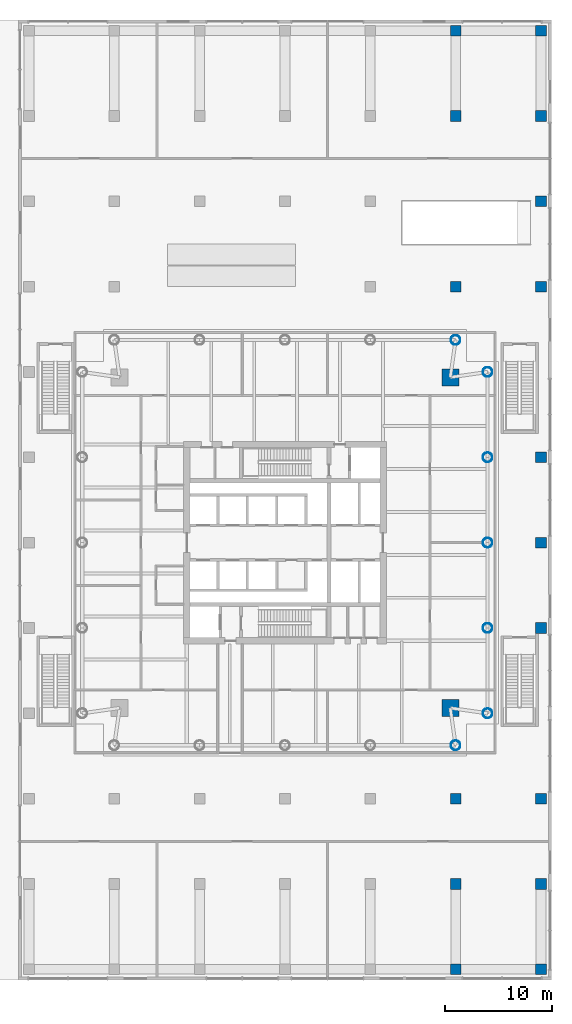
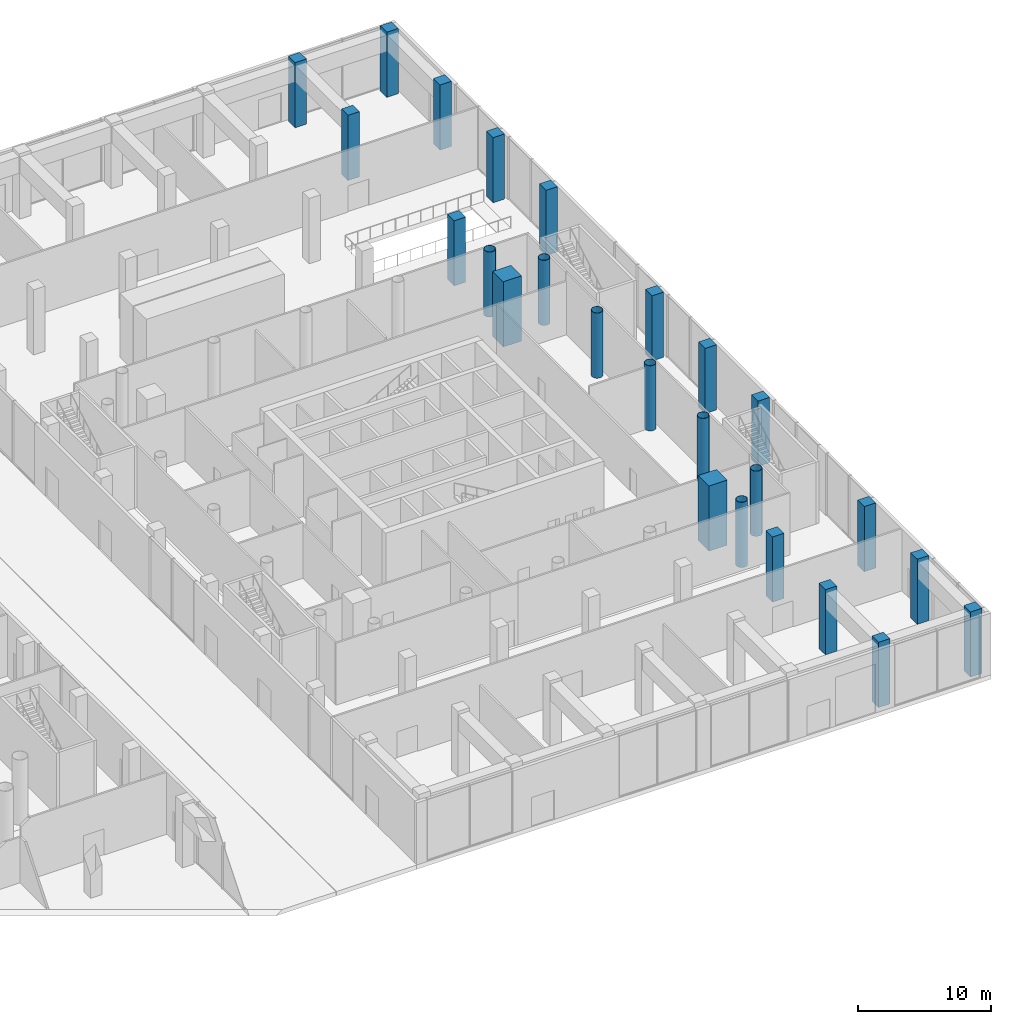
# One storey, part 4 of 39: 25 columns.
"""IFC4 building model written with IfcOpenShell, lengths in metres."""

from ifc_helpers import new_model, si_unit, direction, frame, origin, origin_2d, place, context, subcontext, project, spatial, rectangle, hollow_circle, extrude, material, material_profile, profile_set, type_object, element, save


model = new_model("IFC4")

# Units and contexts
model_context = context("Model", 3, precision=1e-05, world=origin(), true_north=direction((0.0, 1.0)))
body_context = subcontext(model_context, "Body", "Model", "MODEL_VIEW")
ifc_project = project(units=[si_unit("LENGTHUNIT", "METRE"), si_unit("AREAUNIT", "SQUARE_METRE"), si_unit("VOLUMEUNIT", "CUBIC_METRE"), si_unit("PLANEANGLEUNIT", "RADIAN"), si_unit("MASSUNIT", "GRAM", prefix="KILO")], contexts=[model_context])

# Site, building, storey
site_placement = place(None, origin())
site = spatial("IfcSite", under=ifc_project, at=site_placement, CompositionType="ELEMENT")
building_placement = place(site_placement, origin())
building = spatial("IfcBuilding", under=site, at=building_placement, Name="Ostroluk Exchange", CompositionType="ELEMENT")
storey_placement = place(building_placement, origin())
storey = spatial("IfcBuildingStorey", under=building, at=storey_placement, Name="L00", CompositionType="ELEMENT", Elevation=0.0)

# Columns
ifc_material_1 = material(Name="Concrete C50/60", Category="concrete")
ifc_material_profile_1 = material_profile(ifc_material_1, rectangle(XDim=1.60009765625, YDim=1.60009765625, at=origin_2d()), Name="RC 1600x1600")
ifc_profile_set_1 = profile_set([ifc_material_profile_1], Name="Concrete C50/60")
column_type_1 = type_object("IfcColumnType", Name="Mega column RC 1600x1600", PredefinedType="COLUMN", material=ifc_profile_set_1)
for number, where, z_axis, x_axis, name in (
    (1, (132.5, 61.5, 0.0), (0.0, 0.0, 1.0), (1.0, 0.0, 0.0), "T2 mega column NE"),
    (2, (132.5, 30.5, 0.0), (0.0, 0.0, 1.0), (1.0, 0.0, 0.0), "T2 mega column SE"),
):
    element("IfcColumn", number, at=place(storey_placement, frame(where, z_axis=z_axis, x_axis=x_axis)), inside=storey, type_object=column_type_1, Name=name, PredefinedType="COLUMN", context=body_context, shape_type="SweptSolid", body=[
        extrude(rectangle(XDim=1.60009765625, YDim=1.60009765625, at=origin_2d()), origin(), (0.0, 0.0, 1.0), 6.0),
    ])
ifc_material_2 = material(Name="Steel S460", Category="steel")
ifc_material_profile_2 = material_profile(ifc_material_2, hollow_circle(Radius=0.45703125, WallThickness=0.030029296875, at=origin_2d()), Name="CHS 914x30")
ifc_profile_set_2 = profile_set([ifc_material_profile_2], Name="Steel S460")
column_type_2 = type_object("IfcColumnType", Name="Perimeter column CHS 914x30", PredefinedType="COLUMN", material=ifc_profile_set_2)
for number, where, z_axis, x_axis, name in (
    (3, (136.0, 30.0, 0.0), (0.0, 0.0, 1.0), (1.0, 0.0, 0.0), "T2 east face column E0"),
    (4, (136.0, 62.0, 0.0), (0.0, 0.0, 1.0), (1.0, 0.0, 0.0), "T2 east face column E1"),
    (5, (136.0, 38.0, 0.0), (0.0, 0.0, 1.0), (1.0, 0.0, 0.0), "T2 east face column I1"),
    (6, (136.0, 46.0, 0.0), (0.0, 0.0, 1.0), (1.0, 0.0, 0.0), "T2 east face column I2"),
    (7, (136.0, 54.0, 0.0), (0.0, 0.0, 1.0), (1.0, 0.0, 0.0), "T2 east face column I3"),
    (8, (133.0, 65.0, 0.0), (0.0, 0.0, 1.0), (1.0, 0.0, 0.0), "T2 north face column E0"),
    (9, (133.0, 27.0, 0.0), (0.0, 0.0, 1.0), (1.0, 0.0, 0.0), "T2 south face column E1"),
):
    element("IfcColumn", number, at=place(storey_placement, frame(where, z_axis=z_axis, x_axis=x_axis)), inside=storey, type_object=column_type_2, Name=name, PredefinedType="COLUMN", context=body_context, shape_type="SweptSolid", body=[
        extrude(hollow_circle(Radius=0.45703125, WallThickness=0.030029296875, at=origin_2d()), origin(), (0.0, 0.0, 1.0), 6.0),
    ])
ifc_material_3 = material(Name="Concrete C50/60", Category="concrete")
ifc_material_profile_3 = material_profile(ifc_material_3, rectangle(XDim=1.0, YDim=1.0, at=origin_2d()), Name="RC 1000x1000")
ifc_profile_set_3 = profile_set([ifc_material_profile_3], Name="Concrete C50/60")
column_type_3 = type_object("IfcColumnType", Name="Podium column RC 1000x1000", PredefinedType="COLUMN", material=ifc_profile_set_3)
for number, where, z_axis, x_axis, name in (
    (10, (133.0, 6.0, 0.0), (0.0, 0.0, 1.0), (1.0, 0.0, 0.0), "Podium column 133/6"),
    (11, (133.0, 14.0, 0.0), (0.0, 0.0, 1.0), (1.0, 0.0, 0.0), "Podium column 133/14"),
    (12, (133.0, 22.0, 0.0), (0.0, 0.0, 1.0), (1.0, 0.0, 0.0), "Podium column 133/22"),
    (13, (133.0, 70.0, 0.0), (0.0, 0.0, 1.0), (1.0, 0.0, 0.0), "Podium column 133/70"),
    (14, (133.0, 86.0, 0.0), (0.0, 0.0, 1.0), (1.0, 0.0, 0.0), "Podium column 133/86"),
    (15, (133.0, 94.0, 0.0), (0.0, 0.0, 1.0), (1.0, 0.0, 0.0), "Podium column 133/94"),
    (16, (141.0, 6.0, 0.0), (0.0, 0.0, 1.0), (1.0, 0.0, 0.0), "Podium column 141/6"),
    (17, (141.0, 14.0, 0.0), (0.0, 0.0, 1.0), (1.0, 0.0, 0.0), "Podium column 141/14"),
    (18, (141.0, 22.0, 0.0), (0.0, 0.0, 1.0), (1.0, 0.0, 0.0), "Podium column 141/22"),
    (19, (141.0, 38.0, 0.0), (0.0, 0.0, 1.0), (1.0, 0.0, 0.0), "Podium column 141/38"),
    (20, (141.0, 46.0, 0.0), (0.0, 0.0, 1.0), (1.0, 0.0, 0.0), "Podium column 141/46"),
    (21, (141.0, 54.0, 0.0), (0.0, 0.0, 1.0), (1.0, 0.0, 0.0), "Podium column 141/54"),
    (22, (141.0, 70.0, 0.0), (0.0, 0.0, 1.0), (1.0, 0.0, 0.0), "Podium column 141/70"),
    (23, (141.0, 78.0, 0.0), (0.0, 0.0, 1.0), (1.0, 0.0, 0.0), "Podium column 141/78"),
    (24, (141.0, 86.0, 0.0), (0.0, 0.0, 1.0), (1.0, 0.0, 0.0), "Podium column 141/86"),
    (25, (141.0, 94.0, 0.0), (0.0, 0.0, 1.0), (1.0, 0.0, 0.0), "Podium column 141/94"),
):
    element("IfcColumn", number, at=place(storey_placement, frame(where, z_axis=z_axis, x_axis=x_axis)), inside=storey, type_object=column_type_3, Name=name, PredefinedType="COLUMN", context=body_context, shape_type="SweptSolid", body=[
        extrude(rectangle(XDim=1.0, YDim=1.0, at=origin_2d()), origin(), (0.0, 0.0, 1.0), 6.0),
    ])

save(model, "model.ifc")
